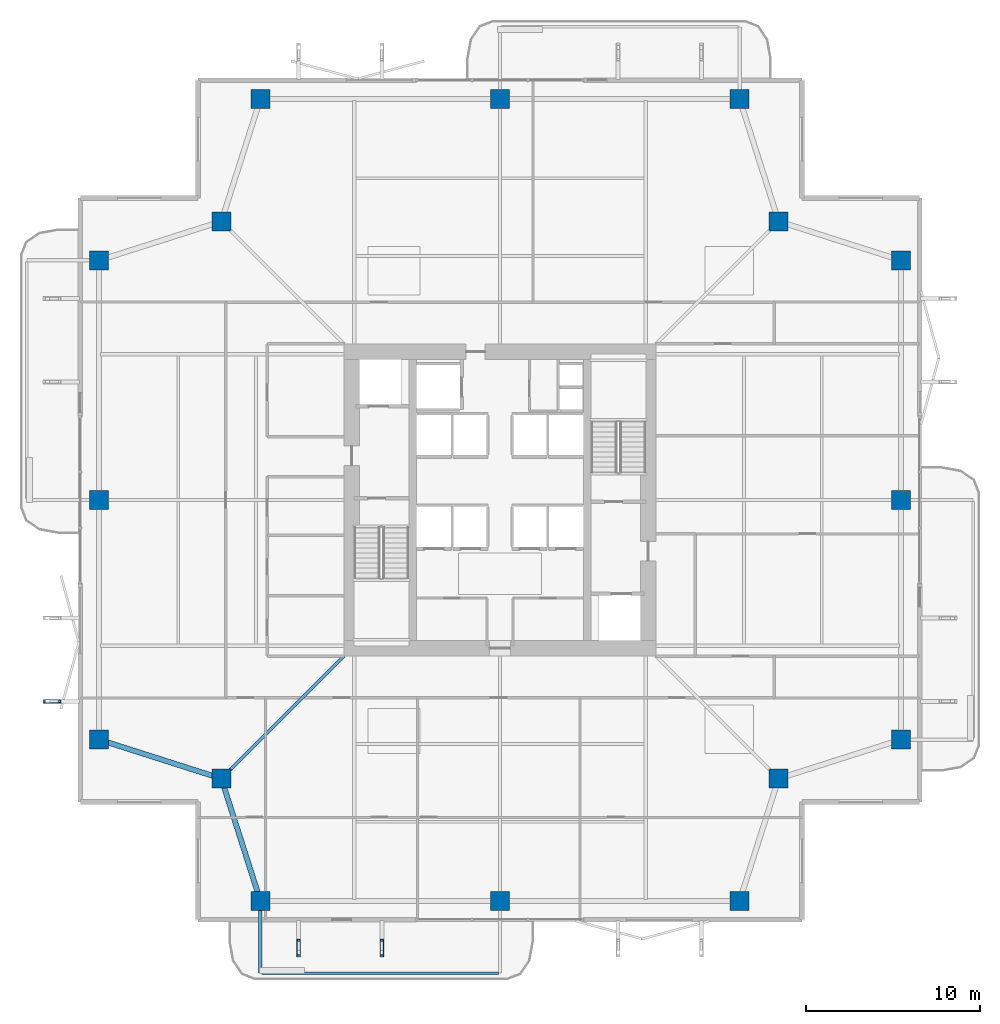
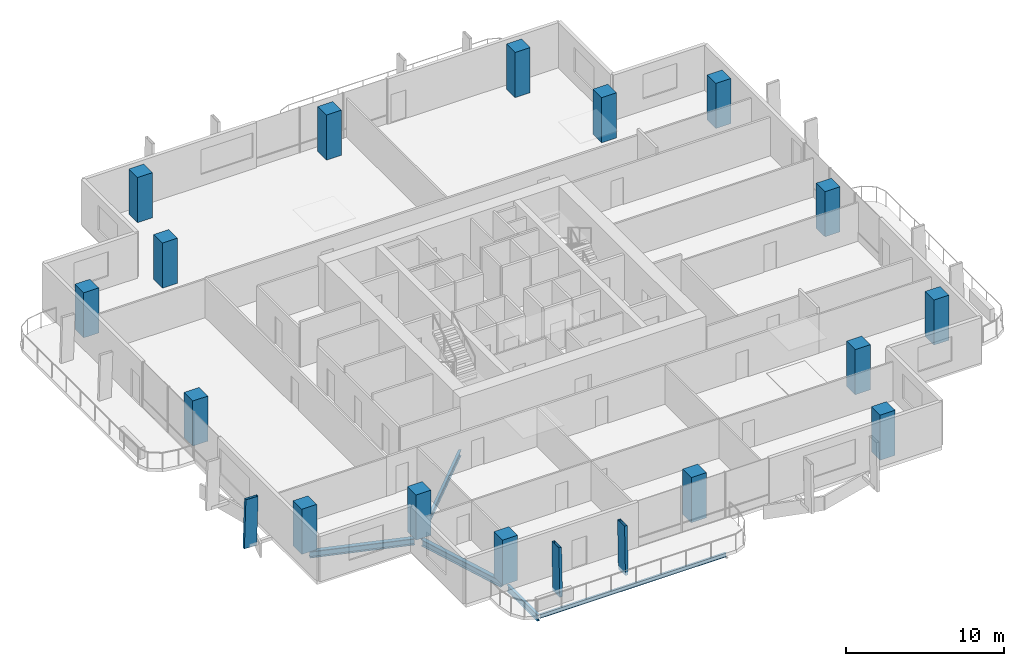
# One storey, part 1 of 25: 16 columns, 5 beams, 3 members.
"""IFC4 building model written with IfcOpenShell, lengths in metres."""

from ifc_helpers import new_model, si_unit, direction, frame, origin, origin_2d, place, context, subcontext, project, spatial, rectangle, hollow_rectangle, i_section, extrude, material, material_profile, profile_set, type_object, element, save


model = new_model("IFC4")

# Units and contexts
model_context = context("Model", 3, precision=1e-05, world=origin(), true_north=direction((0.0, 1.0)))
body_context = subcontext(model_context, "Body", "Model", "MODEL_VIEW")
ifc_project = project(units=[si_unit("LENGTHUNIT", "METRE"), si_unit("AREAUNIT", "SQUARE_METRE"), si_unit("VOLUMEUNIT", "CUBIC_METRE"), si_unit("PLANEANGLEUNIT", "RADIAN"), si_unit("MASSUNIT", "GRAM", prefix="KILO")], contexts=[model_context])

# Site, building, storey
site_placement = place(None, origin())
site = spatial("IfcSite", under=ifc_project, at=site_placement, CompositionType="ELEMENT")
building_placement = place(site_placement, origin())
building = spatial("IfcBuilding", under=site, at=building_placement, Name="Belovzor Exchange Tower", CompositionType="ELEMENT")
storey_placement = place(building_placement, frame((0.0, 0.0, 149.550048828125)))
storey = spatial("IfcBuildingStorey", under=building, at=storey_placement, Name="L36", CompositionType="ELEMENT", Elevation=149.550048828125)

# Columns
ifc_material_1 = material(Name="Concrete C50/60", Category="concrete")
ifc_material_profile_1 = material_profile(ifc_material_1, rectangle(XDim=1.10009765625, YDim=1.10009765625, at=origin_2d()))
ifc_profile_set_1 = profile_set([ifc_material_profile_1], Name="Concrete C50/60")
column_type = type_object("IfcColumnType", Name="Reinforced Concrete Tower Column 1100x1100", PredefinedType="COLUMN", material=ifc_profile_set_1)
for number, where, z_axis, x_axis, name in (
    (1, (15.0, 5.699951171875, 0.0029296875), (0.0, 0.0, 1.0), (1.0, 0.0, 0.0), "COL-T110 Reinforced Concrete Tower Column 1100x1100"),
    (2, (28.800048828125, 5.699951171875, 0.0029296875), (0.0, 0.0, 1.0), (1.0, 0.0, 0.0), "COL-T110 Reinforced Concrete Tower Column 1100x1100"),
    (3, (42.60009765625, 5.699951171875, 0.0029296875), (0.0, 0.0, 1.0), (1.0, 0.0, 0.0), "COL-T110 Reinforced Concrete Tower Column 1100x1100"),
    (4, (51.89990234375, 15.0, 0.0029296875), (0.0, 0.0, 1.0), (1.0, 0.0, 0.0), "COL-T110 Reinforced Concrete Tower Column 1100x1100"),
    (5, (51.89990234375, 28.800048828125, 0.0029296875), (0.0, 0.0, 1.0), (1.0, 0.0, 0.0), "COL-T110 Reinforced Concrete Tower Column 1100x1100"),
    (6, (51.89990234375, 42.60009765625, 0.0029296875), (0.0, 0.0, 1.0), (1.0, 0.0, 0.0), "COL-T110 Reinforced Concrete Tower Column 1100x1100"),
    (7, (42.60009765625, 51.89990234375, 0.0029296875), (0.0, 0.0, 1.0), (1.0, 0.0, 0.0), "COL-T110 Reinforced Concrete Tower Column 1100x1100"),
    (8, (28.800048828125, 51.89990234375, 0.0029296875), (0.0, 0.0, 1.0), (1.0, 0.0, 0.0), "COL-T110 Reinforced Concrete Tower Column 1100x1100"),
    (9, (15.0, 51.89990234375, 0.0029296875), (0.0, 0.0, 1.0), (1.0, 0.0, 0.0), "COL-T110 Reinforced Concrete Tower Column 1100x1100"),
    (10, (5.699951171875, 42.60009765625, 0.0029296875), (0.0, 0.0, 1.0), (1.0, 0.0, 0.0), "COL-T110 Reinforced Concrete Tower Column 1100x1100"),
    (11, (5.699951171875, 28.800048828125, 0.0029296875), (0.0, 0.0, 1.0), (1.0, 0.0, 0.0), "COL-T110 Reinforced Concrete Tower Column 1100x1100"),
    (12, (5.699951171875, 15.0, 0.0029296875), (0.0, 0.0, 1.0), (1.0, 0.0, 0.0), "COL-T110 Reinforced Concrete Tower Column 1100x1100"),
    (13, (12.75, 12.75, 0.0029296875), (0.0, 0.0, 1.0), (1.0, 0.0, 0.0), "COL-T110 Reinforced Concrete Tower Column 1100x1100"),
    (14, (44.85009765625, 12.75, 0.0029296875), (0.0, 0.0, 1.0), (1.0, 0.0, 0.0), "COL-T110 Reinforced Concrete Tower Column 1100x1100"),
    (15, (44.85009765625, 44.85009765625, 0.0029296875), (0.0, 0.0, 1.0), (1.0, 0.0, 0.0), "COL-T110 Reinforced Concrete Tower Column 1100x1100"),
    (16, (12.75, 44.85009765625, 0.0029296875), (0.0, 0.0, 1.0), (1.0, 0.0, 0.0), "COL-T110 Reinforced Concrete Tower Column 1100x1100"),
):
    element("IfcColumn", number, at=place(storey_placement, frame(where, z_axis=z_axis, x_axis=x_axis)), inside=storey, type_object=column_type, Name=name, PredefinedType="COLUMN", context=body_context, shape_type="SweptSolid", body=[
        extrude(rectangle(XDim=1.10009765625, YDim=1.10009765625, at=origin_2d()), origin(), (0.0, 0.0, 1.0), 3.489013671875),
    ])

# Beams
ifc_material_2 = material(Name="Steel S355", Category="steel")
ifc_material_profile_2 = material_profile(ifc_material_2, i_section(OverallWidth=0.199951171875, OverallDepth=0.5, WebThickness=0.01025390625, FlangeThickness=0.01611328125, at=origin_2d()))
ifc_profile_set_2 = profile_set([ifc_material_profile_2], Name="Steel S355")
beam_type_1 = type_object("IfcBeamType", Name="Planted Balcony Cantilever Beam IPE 500", PredefinedType="BEAM", material=ifc_profile_set_2)
beam_1_placement = place(storey_placement, frame((15.0, 5.39697265625, -0.505126953125), z_axis=(0.0, -1.0, 0.0), x_axis=(1.0, 0.0, 0.0)))
element("IfcBeam", 17, at=beam_1_placement, inside=storey, type_object=beam_type_1, Name="BC-500 Planted Balcony Cantilever Beam IPE 500", PredefinedType="BEAM", context=body_context, shape_type="SweptSolid", body=[
    extrude(i_section(OverallWidth=0.199951171875, OverallDepth=0.5, WebThickness=0.01025390625, FlangeThickness=0.01611328125, at=origin_2d()), origin(), (0.0, 0.0, 1.0), 3.849853515625),
])
ifc_material_3 = material(Name="Steel S355", Category="steel")
ifc_material_profile_3 = material_profile(ifc_material_3, i_section(OverallWidth=0.14990234375, OverallDepth=0.300048828125, WebThickness=0.007080078125, FlangeThickness=0.0107421875, at=origin_2d()))
ifc_profile_set_3 = profile_set([ifc_material_profile_3], Name="Steel S355")
beam_type_2 = type_object("IfcBeamType", Name="Planted Balcony Fascia Edge Beam IPE 300", PredefinedType="BEAM", material=ifc_profile_set_3)
beam_2_placement = place(storey_placement, frame((15.10009765625, 1.547119140625, -0.405029296875), z_axis=(1.0, 0.0, 0.0), x_axis=(0.0, 1.0, 0.0)))
element("IfcBeam", 18, at=beam_2_placement, inside=storey, type_object=beam_type_2, Name="BC-300 Planted Balcony Fascia Edge Beam IPE 300", PredefinedType="BEAM", context=body_context, shape_type="SweptSolid", body=[
    extrude(i_section(OverallWidth=0.14990234375, OverallDepth=0.300048828125, WebThickness=0.007080078125, FlangeThickness=0.0107421875, at=origin_2d()), origin(), (0.0, 0.0, 1.0), 13.599853515625),
])

# Members
ifc_material_4 = material(Name="Extruded Architectural Terracotta on Steel S355 Carrier", Category="masonry")
ifc_material_profile_4 = material_profile(ifc_material_4, hollow_rectangle(XDim=0.199951171875, YDim=0.89990234375, WallThickness=0.011962890625, at=origin_2d()))
ifc_profile_set_4 = profile_set([ifc_material_profile_4], Name="Extruded Architectural Terracotta on Steel S355 Carrier")
member_type = type_object("IfcMemberType", Name="Sweeping Terracotta Baguette Fin Assembly 1250", PredefinedType="USERDEFINED", material=ifc_profile_set_4)
for number, where, z_axis, x_axis, name in (
    (19, (17.199951171875, 2.93603515625, -0.255126953125), (0.0, 0.030129544208, 0.999546002226), (-1.0, 0.0, 0.0), "FIN-TC125 Terracotta Facade Fin L36 S1"),
    (20, (2.93603515625, 17.199951171875, -0.255126953125), (0.030129544208, 0.0, 0.999546002226), (0.0, 1.0, 0.0), "FIN-TC125 Terracotta Facade Fin L36 W1"),
    (21, (22.0, 2.93603515625, -0.255126953125), (0.0, 0.030129544208, 0.999546002226), (-1.0, 0.0, 0.0), "FIN-TC125 Terracotta Facade Fin L36 S2"),
):
    element("IfcMember", number, at=place(storey_placement, frame(where, z_axis=z_axis, x_axis=x_axis)), inside=storey, type_object=member_type, Name=name, ObjectType="FIN", PredefinedType="USERDEFINED", context=body_context, shape_type="SweptSolid", body=[
        extrude(hollow_rectangle(XDim=0.199951171875, YDim=0.89990234375, WallThickness=0.011962890625, at=origin_2d()), origin(), (0.0, 0.0, 1.0), 3.751708984375),
    ])

# Beams
ifc_material_5 = material(Name="Steel S355", Category="steel")
ifc_material_profile_5 = material_profile(ifc_material_5, i_section(OverallWidth=0.18994140625, OverallDepth=0.449951171875, WebThickness=0.009521484375, FlangeThickness=0.0146484375, at=origin_2d()))
ifc_profile_set_5 = profile_set([ifc_material_profile_5], Name="Steel S355")
beam_type_3 = type_object("IfcBeamType", Name="Zone 2-4 Radial Composite Floor Beam IPE 450", PredefinedType="BEAM", material=ifc_profile_set_5)
beam_3_placement = place(storey_placement, frame((19.800048828125, 19.800048828125, -0.47998046875), z_axis=(-0.707106781187, -0.707106781187, 0.0), x_axis=(0.707106781187, -0.707106781187, 0.0)))
element("IfcBeam", 22, at=beam_3_placement, inside=storey, type_object=beam_type_3, Name="FB-450 Zone 2-4 Radial Composite Floor Beam IPE 450", PredefinedType="BEAM", context=body_context, shape_type="SweptSolid", body=[
    extrude(i_section(OverallWidth=0.18994140625, OverallDepth=0.449951171875, WebThickness=0.009521484375, FlangeThickness=0.0146484375, at=origin_2d()), origin(), (0.0, 0.0, 1.0), 9.58154296875),
])
ifc_material_6 = material(Name="Steel S355", Category="steel")
ifc_material_profile_6 = material_profile(ifc_material_6, i_section(OverallWidth=0.300048828125, OverallDepth=0.5, WebThickness=0.014404296875, FlangeThickness=0.028076171875, at=origin_2d()))
ifc_profile_set_6 = profile_set([ifc_material_profile_6], Name="Steel S355")
beam_type_4 = type_object("IfcBeamType", Name="Zone 3 Waist Primary Girder HEB 500", PredefinedType="BEAM", material=ifc_profile_set_6)
for number, where, z_axis, x_axis, name in (
    (23, (12.842041015625, 12.4619140625, -0.505126953125), (0.304011730457, -0.952668288411, 0.0), (0.952668288411, 0.304011730457, 0.0), "FG-Z3 Zone 3 Waist Primary Girder HEB 500"),
    (24, (5.988037109375, 14.907958984375, -0.505126953125), (0.952668288411, -0.304011730457, 0.0), (0.304011730457, 0.952668288411, 0.0), "FG-Z3 Zone 3 Waist Primary Girder HEB 500"),
):
    element("IfcBeam", number, at=place(storey_placement, frame(where, z_axis=z_axis, x_axis=x_axis)), inside=storey, type_object=beam_type_4, Name=name, PredefinedType="BEAM", context=body_context, shape_type="SweptSolid", body=[
        extrude(i_section(OverallWidth=0.300048828125, OverallDepth=0.5, WebThickness=0.014404296875, FlangeThickness=0.028076171875, at=origin_2d()), origin(), (0.0, 0.0, 1.0), 6.79541015625),
    ])

save(model, "model.ifc")
